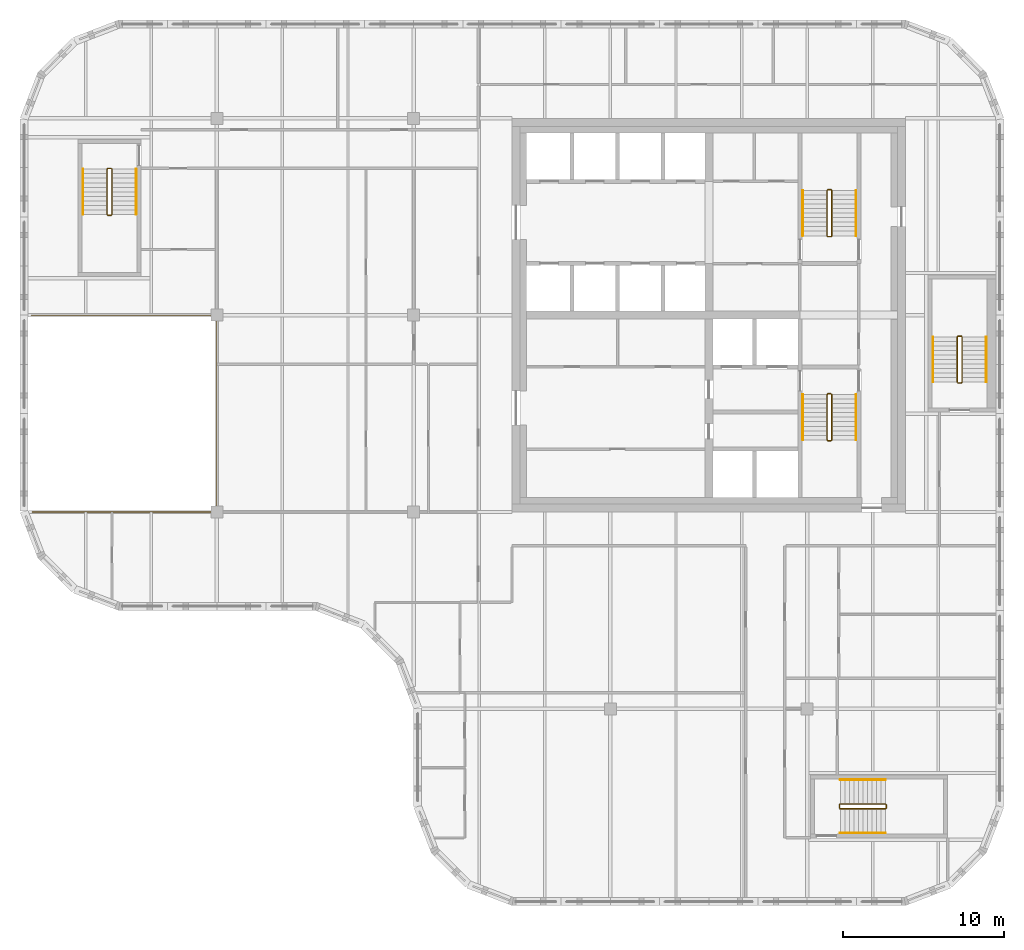
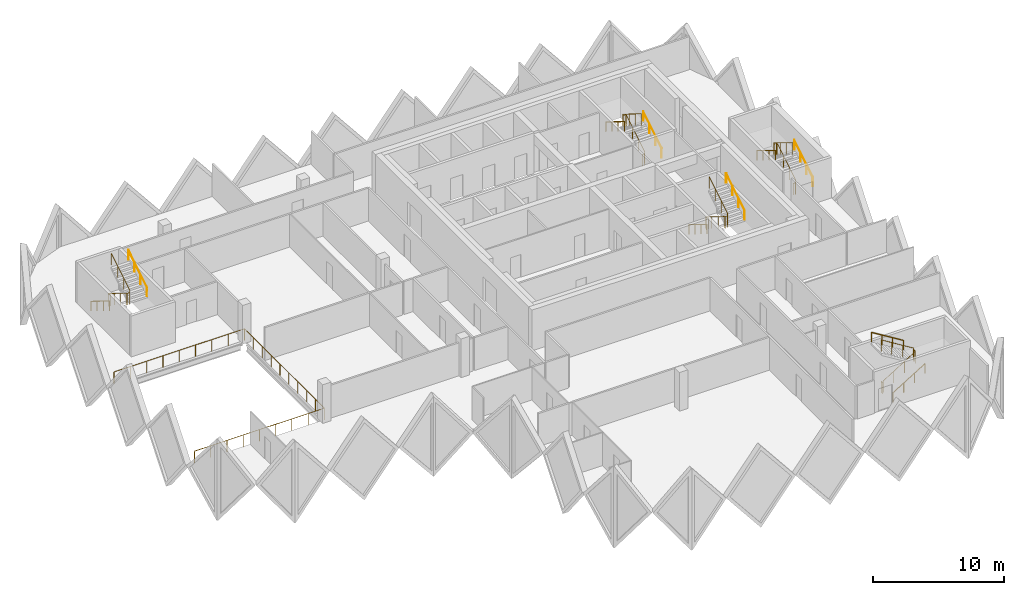
# One storey, part 11 of 11: 16 railings.
"""IFC4 building model written with IfcOpenShell, lengths in metres."""

from ifc_helpers import new_model, si_unit, direction, frame, origin, origin_2d, place, context, subcontext, project, spatial, circle, extrude, material, type_object, element, save


model = new_model("IFC4")

# Units and contexts
model_context = context("Model", 3, precision=1e-05, world=origin(), true_north=direction((0.0, 1.0)))
body_context = subcontext(model_context, "Body", "Model", "MODEL_VIEW")
ifc_project = project(units=[si_unit("LENGTHUNIT", "METRE"), si_unit("AREAUNIT", "SQUARE_METRE"), si_unit("VOLUMEUNIT", "CUBIC_METRE"), si_unit("PLANEANGLEUNIT", "RADIAN"), si_unit("MASSUNIT", "GRAM", prefix="KILO")], contexts=[model_context])

# Site, building, storey
site_placement = place(None, origin())
site = spatial("IfcSite", under=ifc_project, at=site_placement, CompositionType="ELEMENT")
building_placement = place(site_placement, origin())
building = spatial("IfcBuilding", under=site, at=building_placement, Name="Tessera Gate Towers", CompositionType="ELEMENT")
storey_placement = place(building_placement, frame((0.0, 0.0, 205.5)))
storey = spatial("IfcBuildingStorey", under=building, at=storey_placement, Name="L51", CompositionType="ELEMENT", Elevation=205.5)

# Railings
ifc_material_1 = material(Name="Toughened glass with stainless steel handrail", Category="steel")
railing_type_1 = type_object("IfcRailingType", Name="GUARD 1100 GLASS BALUSTRADE", PredefinedType="GUARDRAIL", material=ifc_material_1)
railing_1_placement = place(storey_placement, frame((0.750244140625, 24.39990234375, 0.0)))
element("IfcRailing", 1, at=railing_1_placement, inside=storey, type_object=railing_type_1, Name="Guard", PredefinedType="GUARDRAIL", context=body_context, shape_type="SweptSolid", body=[
    extrude(circle(Radius=0.02490234375, at=origin_2d()), frame((0.0, 0.0, 1.0751953125), z_axis=(1.0, 0.0, 0.0), x_axis=(0.0, 1.0, 0.0)), (0.0, 0.0, 1.0), 11.44970703125),
    extrude(circle(Radius=0.02490234375, at=origin_2d()), frame((11.44970703125, 0.0, 1.0751953125), z_axis=(0.0, 1.0, 0.0), x_axis=(-1.0, 0.0, 0.0)), (0.0, 0.0, 1.0), 12.2001953125),
    extrude(circle(Radius=0.02490234375, at=origin_2d()), frame((11.44970703125, 12.2001953125, 1.0751953125), z_axis=(-1.0, 0.0, 0.0), x_axis=(0.0, -1.0, 0.0)), (0.0, 0.0, 1.0), 11.5),
    extrude(circle(Radius=0.02490234375, at=origin_2d()), origin(), (0.0, 0.0, 1.0), 1.050048828125),
    extrude(circle(Radius=0.02490234375, at=origin_2d()), frame((1.43115234375, 0.0, 0.0)), (0.0, 0.0, 1.0), 1.050048828125),
    extrude(circle(Radius=0.02490234375, at=origin_2d()), frame((2.8623046875, 0.0, 0.0)), (0.0, 0.0, 1.0), 1.050048828125),
    extrude(circle(Radius=0.02490234375, at=origin_2d()), frame((4.293701171875, 0.0, 0.0)), (0.0, 0.0, 1.0), 1.050048828125),
    extrude(circle(Radius=0.02490234375, at=origin_2d()), frame((5.724853515625, 0.0, 0.0)), (0.0, 0.0, 1.0), 1.050048828125),
    extrude(circle(Radius=0.02490234375, at=origin_2d()), frame((7.156005859375, 0.0, 0.0)), (0.0, 0.0, 1.0), 1.050048828125),
    extrude(circle(Radius=0.02490234375, at=origin_2d()), frame((8.58740234375, 0.0, 0.0)), (0.0, 0.0, 1.0), 1.050048828125),
    extrude(circle(Radius=0.02490234375, at=origin_2d()), frame((10.0185546875, 0.0, 0.0)), (0.0, 0.0, 1.0), 1.050048828125),
    extrude(circle(Radius=0.02490234375, at=origin_2d()), frame((11.44970703125, 0.0, 0.0)), (0.0, 0.0, 1.0), 1.050048828125),
    extrude(circle(Radius=0.02490234375, at=origin_2d()), frame((11.44970703125, 1.35546875, 0.0)), (0.0, 0.0, 1.0), 1.050048828125),
    extrude(circle(Radius=0.02490234375, at=origin_2d()), frame((11.44970703125, 2.711181640625, 0.0)), (0.0, 0.0, 1.0), 1.050048828125),
    extrude(circle(Radius=0.02490234375, at=origin_2d()), frame((11.44970703125, 4.066650390625, 0.0)), (0.0, 0.0, 1.0), 1.050048828125),
    extrude(circle(Radius=0.02490234375, at=origin_2d()), frame((11.44970703125, 5.42236328125, 0.0)), (0.0, 0.0, 1.0), 1.050048828125),
    extrude(circle(Radius=0.02490234375, at=origin_2d()), frame((11.44970703125, 6.77783203125, 0.0)), (0.0, 0.0, 1.0), 1.050048828125),
    extrude(circle(Radius=0.02490234375, at=origin_2d()), frame((11.44970703125, 8.133544921875, 0.0)), (0.0, 0.0, 1.0), 1.050048828125),
    extrude(circle(Radius=0.02490234375, at=origin_2d()), frame((11.44970703125, 9.489013671875, 0.0)), (0.0, 0.0, 1.0), 1.050048828125),
    extrude(circle(Radius=0.02490234375, at=origin_2d()), frame((11.44970703125, 10.8447265625, 0.0)), (0.0, 0.0, 1.0), 1.050048828125),
    extrude(circle(Radius=0.02490234375, at=origin_2d()), frame((11.44970703125, 12.2001953125, 0.0)), (0.0, 0.0, 1.0), 1.050048828125),
    extrude(circle(Radius=0.02490234375, at=origin_2d()), frame((10.01220703125, 12.2001953125, 0.0)), (0.0, 0.0, 1.0), 1.050048828125),
    extrude(circle(Radius=0.02490234375, at=origin_2d()), frame((8.57470703125, 12.2001953125, 0.0)), (0.0, 0.0, 1.0), 1.050048828125),
    extrude(circle(Radius=0.02490234375, at=origin_2d()), frame((7.13720703125, 12.2001953125, 0.0)), (0.0, 0.0, 1.0), 1.050048828125),
    extrude(circle(Radius=0.02490234375, at=origin_2d()), frame((5.69970703125, 12.2001953125, 0.0)), (0.0, 0.0, 1.0), 1.050048828125),
    extrude(circle(Radius=0.02490234375, at=origin_2d()), frame((4.26220703125, 12.2001953125, 0.0)), (0.0, 0.0, 1.0), 1.050048828125),
    extrude(circle(Radius=0.02490234375, at=origin_2d()), frame((2.82470703125, 12.2001953125, 0.0)), (0.0, 0.0, 1.0), 1.050048828125),
    extrude(circle(Radius=0.02490234375, at=origin_2d()), frame((1.38720703125, 12.2001953125, 0.0)), (0.0, 0.0, 1.0), 1.050048828125),
    extrude(circle(Radius=0.02490234375, at=origin_2d()), frame((-0.05029296875, 12.2001953125, 0.0)), (0.0, 0.0, 1.0), 1.050048828125),
])
ifc_material_2 = material(Name="Steel 350W", Category="steel")
railing_type_2 = type_object("IfcRailingType", Name="STAIR GUARD 1100", PredefinedType="GUARDRAIL", material=ifc_material_2)
railing_2_placement = place(storey_placement, frame((50.27490234375, 31.72509765625, 0.0)))
element("IfcRailing", 2, at=railing_2_placement, inside=storey, type_object=railing_type_2, Name="L51 ST1 stair guard 1", PredefinedType="GUARDRAIL", context=body_context, shape_type="SweptSolid", body=[
    extrude(circle(Radius=0.02392578125, at=origin_2d()), frame((0.0, 0.0, 1.076171875), z_axis=(-1.0, 0.0, 0.0), x_axis=(0.0, -1.0, 0.0)), (0.0, 0.0, 1.0), 0.199951171875),
    extrude(circle(Radius=0.02392578125, at=origin_2d()), frame((-0.199951171875, 0.0, 1.076171875), z_axis=(-0.268277960024, -0.268277960024, 0.925231793839), x_axis=(0.707106781187, -0.707106781187, 0.0)), (0.0, 0.0, 1.0), 0.1865234375),
    extrude(circle(Radius=0.02392578125, at=origin_2d()), frame((-0.25, -0.050048828125, 1.24853515625), z_axis=(0.0, -0.851089632645, 0.525020415988), x_axis=(1.0, 0.0, 0.0)), (0.0, 0.0, 1.0), 3.2900390625),
    extrude(circle(Radius=0.02392578125, at=origin_2d()), frame((-0.25, -2.85009765625, 2.97607421875), z_axis=(0.707106781187, -0.707106781187, 0.0), x_axis=(0.707106781187, 0.707106781187, 0.0)), (0.0, 0.0, 1.0), 0.07080078125),
    extrude(circle(Radius=0.02392578125, at=origin_2d()), frame((-0.199951171875, -2.900146484375, 2.97607421875), z_axis=(1.0, 0.0, 0.0), x_axis=(0.0, 1.0, 0.0)), (0.0, 0.0, 1.0), 0.199951171875),
    extrude(circle(Radius=0.02392578125, at=origin_2d()), frame((0.0, -2.900146484375, 2.97607421875), z_axis=(0.267953482034, 0.267953482034, 0.925419830635), x_axis=(-0.707106781187, 0.707106781187, 0.0)), (0.0, 0.0, 1.0), 0.186767578125),
    extrude(circle(Radius=0.02392578125, at=origin_2d()), frame((0.050048828125, -2.85009765625, 3.14892578125), z_axis=(0.0, 0.851089632645, 0.525020415988), x_axis=(-1.0, 0.0, 0.0)), (0.0, 0.0, 1.0), 3.2900390625),
    extrude(circle(Radius=0.02099609375, at=origin_2d()), origin(), (0.0, 0.0, 1.0), 1.052001953125),
    extrude(circle(Radius=0.02099609375, at=origin_2d()), frame((-0.199951171875, 0.0, 0.0)), (0.0, 0.0, 1.0), 1.052001953125),
    extrude(circle(Radius=0.02099609375, at=origin_2d()), frame((-0.25, -0.050048828125, 0.172607421875)), (0.0, 0.0, 1.0), 1.052001953125),
    extrude(circle(Radius=0.02099609375, at=origin_2d()), frame((-0.25, -0.9833984375, 0.748291015625)), (0.0, 0.0, 1.0), 1.052001953125),
    extrude(circle(Radius=0.02099609375, at=origin_2d()), frame((-0.25, -1.916748046875, 1.32421875)), (0.0, 0.0, 1.0), 1.052001953125),
    extrude(circle(Radius=0.02099609375, at=origin_2d()), frame((-0.25, -2.85009765625, 1.89990234375)), (0.0, 0.0, 1.0), 1.052001953125),
    extrude(circle(Radius=0.02099609375, at=origin_2d()), frame((-0.199951171875, -2.900146484375, 1.89990234375)), (0.0, 0.0, 1.0), 1.052001953125),
    extrude(circle(Radius=0.02099609375, at=origin_2d()), frame((0.0, -2.900146484375, 1.89990234375)), (0.0, 0.0, 1.0), 1.052001953125),
    extrude(circle(Radius=0.02099609375, at=origin_2d()), frame((0.050048828125, -2.85009765625, 2.07275390625)), (0.0, 0.0, 1.0), 1.052001953125),
    extrude(circle(Radius=0.02099609375, at=origin_2d()), frame((0.050048828125, -1.916748046875, 2.6484375)), (0.0, 0.0, 1.0), 1.052001953125),
    extrude(circle(Radius=0.02099609375, at=origin_2d()), frame((0.050048828125, -0.9833984375, 3.224365234375)), (0.0, 0.0, 1.0), 1.052001953125),
    extrude(circle(Radius=0.02099609375, at=origin_2d()), frame((0.050048828125, -0.050048828125, 3.800048828125)), (0.0, 0.0, 1.0), 1.052001953125),
])
railing_3_placement = place(storey_placement, frame((50.074951171875, 41.47509765625, 0.0)))
element("IfcRailing", 3, at=railing_3_placement, inside=storey, type_object=railing_type_2, Name="L51 ST2 stair guard 1", PredefinedType="GUARDRAIL", context=body_context, shape_type="SweptSolid", body=[
    extrude(circle(Radius=0.02392578125, at=origin_2d()), frame((0.0, 0.0, 1.076171875), z_axis=(1.0, 0.0, 0.0), x_axis=(0.0, 1.0, 0.0)), (0.0, 0.0, 1.0), 0.199951171875),
    extrude(circle(Radius=0.02392578125, at=origin_2d()), frame((0.199951171875, 0.0, 1.076171875), z_axis=(0.268371968888, 0.267062837333, 0.925556009775), x_axis=(-0.705375805398, 0.708833529934, 0.0)), (0.0, 0.0, 1.0), 0.1865234375),
    extrude(circle(Radius=0.02392578125, at=origin_2d()), frame((0.25, 0.0498046875, 1.24853515625), z_axis=(0.0, 0.851089632645, 0.525020415988), x_axis=(-1.0, 0.0, 0.0)), (0.0, 0.0, 1.0), 3.2900390625),
    extrude(circle(Radius=0.02392578125, at=origin_2d()), frame((0.25, 2.849853515625, 2.97607421875), z_axis=(-0.707106781187, 0.707106781187, 0.0), x_axis=(-0.707106781187, -0.707106781187, 0.0)), (0.0, 0.0, 1.0), 0.07080078125),
    extrude(circle(Radius=0.02392578125, at=origin_2d()), frame((0.199951171875, 2.89990234375, 2.97607421875), z_axis=(-1.0, 0.0, 0.0), x_axis=(0.0, -1.0, 0.0)), (0.0, 0.0, 1.0), 0.199951171875),
    extrude(circle(Radius=0.02392578125, at=origin_2d()), frame((0.0, 2.89990234375, 2.97607421875), z_axis=(-0.267953482034, -0.267953482034, 0.925419830635), x_axis=(0.707106781187, -0.707106781187, 0.0)), (0.0, 0.0, 1.0), 0.186767578125),
    extrude(circle(Radius=0.02392578125, at=origin_2d()), frame((-0.050048828125, 2.849853515625, 3.14892578125), z_axis=(0.0, -0.851089632645, 0.525020415988), x_axis=(1.0, 0.0, 0.0)), (0.0, 0.0, 1.0), 3.2900390625),
    extrude(circle(Radius=0.02099609375, at=origin_2d()), origin(), (0.0, 0.0, 1.0), 1.052001953125),
    extrude(circle(Radius=0.02099609375, at=origin_2d()), frame((0.199951171875, 0.0, 0.0)), (0.0, 0.0, 1.0), 1.052001953125),
    extrude(circle(Radius=0.02099609375, at=origin_2d()), frame((0.25, 0.0498046875, 0.172607421875)), (0.0, 0.0, 1.0), 1.052001953125),
    extrude(circle(Radius=0.02099609375, at=origin_2d()), frame((0.25, 0.983154296875, 0.748291015625)), (0.0, 0.0, 1.0), 1.052001953125),
    extrude(circle(Radius=0.02099609375, at=origin_2d()), frame((0.25, 1.91650390625, 1.32421875)), (0.0, 0.0, 1.0), 1.052001953125),
    extrude(circle(Radius=0.02099609375, at=origin_2d()), frame((0.25, 2.849853515625, 1.89990234375)), (0.0, 0.0, 1.0), 1.052001953125),
    extrude(circle(Radius=0.02099609375, at=origin_2d()), frame((0.199951171875, 2.89990234375, 1.89990234375)), (0.0, 0.0, 1.0), 1.052001953125),
    extrude(circle(Radius=0.02099609375, at=origin_2d()), frame((0.0, 2.89990234375, 1.89990234375)), (0.0, 0.0, 1.0), 1.052001953125),
    extrude(circle(Radius=0.02099609375, at=origin_2d()), frame((-0.050048828125, 2.849853515625, 2.07275390625)), (0.0, 0.0, 1.0), 1.052001953125),
    extrude(circle(Radius=0.02099609375, at=origin_2d()), frame((-0.050048828125, 1.91650390625, 2.6484375)), (0.0, 0.0, 1.0), 1.052001953125),
    extrude(circle(Radius=0.02099609375, at=origin_2d()), frame((-0.050048828125, 0.983154296875, 3.224365234375)), (0.0, 0.0, 1.0), 1.052001953125),
    extrude(circle(Radius=0.02099609375, at=origin_2d()), frame((-0.050048828125, 0.0498046875, 3.800048828125)), (0.0, 0.0, 1.0), 1.052001953125),
])
railing_4_placement = place(storey_placement, frame((5.64990234375, 45.699951171875, 0.0)))
element("IfcRailing", 4, at=railing_4_placement, inside=storey, type_object=railing_type_2, Name="L51 ST3 stair guard 1", PredefinedType="GUARDRAIL", context=body_context, shape_type="SweptSolid", body=[
    extrude(circle(Radius=0.02392578125, at=origin_2d()), frame((0.0, 0.0, 1.076171875), z_axis=(-1.0, 0.0, 0.0), x_axis=(0.0, -1.0, 0.0)), (0.0, 0.0, 1.0), 0.199951171875),
    extrude(circle(Radius=0.02392578125, at=origin_2d()), frame((-0.199951171875, 0.0, 1.076171875), z_axis=(-0.268277960024, -0.268277960024, 0.925231793839), x_axis=(0.707106781187, -0.707106781187, 0.0)), (0.0, 0.0, 1.0), 0.1865234375),
    extrude(circle(Radius=0.02392578125, at=origin_2d()), frame((-0.25, -0.050048828125, 1.24853515625), z_axis=(0.0, -0.851069175582, 0.525053576669), x_axis=(1.0, 0.0, 0.0)), (0.0, 0.0, 1.0), 3.289794921875),
    extrude(circle(Radius=0.02392578125, at=origin_2d()), frame((-0.25, -2.849853515625, 2.97607421875), z_axis=(0.707106781187, -0.707106781187, 0.0), x_axis=(0.707106781187, 0.707106781187, 0.0)), (0.0, 0.0, 1.0), 0.07080078125),
    extrude(circle(Radius=0.02392578125, at=origin_2d()), frame((-0.199951171875, -2.89990234375, 2.97607421875), z_axis=(1.0, 0.0, 0.0), x_axis=(0.0, 1.0, 0.0)), (0.0, 0.0, 1.0), 0.199951171875),
    extrude(circle(Radius=0.02392578125, at=origin_2d()), frame((0.0, -2.89990234375, 2.97607421875), z_axis=(0.267953482034, 0.267953482034, 0.925419830635), x_axis=(-0.707106781187, 0.707106781187, 0.0)), (0.0, 0.0, 1.0), 0.186767578125),
    extrude(circle(Radius=0.02392578125, at=origin_2d()), frame((0.050048828125, -2.849853515625, 3.14892578125), z_axis=(0.0, 0.851069175582, 0.525053576669), x_axis=(-1.0, 0.0, 0.0)), (0.0, 0.0, 1.0), 3.289794921875),
    extrude(circle(Radius=0.02099609375, at=origin_2d()), origin(), (0.0, 0.0, 1.0), 1.052001953125),
    extrude(circle(Radius=0.02099609375, at=origin_2d()), frame((-0.199951171875, 0.0, 0.0)), (0.0, 0.0, 1.0), 1.052001953125),
    extrude(circle(Radius=0.02099609375, at=origin_2d()), frame((-0.25, -0.050048828125, 0.172607421875)), (0.0, 0.0, 1.0), 1.052001953125),
    extrude(circle(Radius=0.02099609375, at=origin_2d()), frame((-0.25, -0.9833984375, 0.748291015625)), (0.0, 0.0, 1.0), 1.052001953125),
    extrude(circle(Radius=0.02099609375, at=origin_2d()), frame((-0.25, -1.91650390625, 1.32421875)), (0.0, 0.0, 1.0), 1.052001953125),
    extrude(circle(Radius=0.02099609375, at=origin_2d()), frame((-0.25, -2.849853515625, 1.89990234375)), (0.0, 0.0, 1.0), 1.052001953125),
    extrude(circle(Radius=0.02099609375, at=origin_2d()), frame((-0.199951171875, -2.89990234375, 1.89990234375)), (0.0, 0.0, 1.0), 1.052001953125),
    extrude(circle(Radius=0.02099609375, at=origin_2d()), frame((0.0, -2.89990234375, 1.89990234375)), (0.0, 0.0, 1.0), 1.052001953125),
    extrude(circle(Radius=0.02099609375, at=origin_2d()), frame((0.050048828125, -2.849853515625, 2.07275390625)), (0.0, 0.0, 1.0), 1.052001953125),
    extrude(circle(Radius=0.02099609375, at=origin_2d()), frame((0.050048828125, -1.91650390625, 2.6484375)), (0.0, 0.0, 1.0), 1.052001953125),
    extrude(circle(Radius=0.02099609375, at=origin_2d()), frame((0.050048828125, -0.9833984375, 3.224365234375)), (0.0, 0.0, 1.0), 1.052001953125),
    extrude(circle(Radius=0.02099609375, at=origin_2d()), frame((0.050048828125, -0.050048828125, 3.800048828125)), (0.0, 0.0, 1.0), 1.052001953125),
])
railing_5_placement = place(storey_placement, frame((50.800048828125, 6.25, 0.0)))
element("IfcRailing", 5, at=railing_5_placement, inside=storey, type_object=railing_type_2, Name="L51 ST4 stair guard 1", PredefinedType="GUARDRAIL", context=body_context, shape_type="SweptSolid", body=[
    extrude(circle(Radius=0.02392578125, at=origin_2d()), frame((0.0, 0.0, 1.076171875), z_axis=(0.0, -1.0, 0.0), x_axis=(1.0, 0.0, 0.0)), (0.0, 0.0, 1.0), 0.199951171875),
    extrude(circle(Radius=0.02392578125, at=origin_2d()), frame((0.0, -0.199951171875, 1.076171875), z_axis=(0.268277960024, -0.268277960024, 0.925231793839), x_axis=(0.707106781187, 0.707106781187, 0.0)), (0.0, 0.0, 1.0), 0.1865234375),
    extrude(circle(Radius=0.02392578125, at=origin_2d()), frame((0.050048828125, -0.25, 1.24853515625), z_axis=(0.851069175582, 0.0, 0.525053576669), x_axis=(0.0, 1.0, 0.0)), (0.0, 0.0, 1.0), 3.289794921875),
    extrude(circle(Radius=0.02392578125, at=origin_2d()), frame((2.849853515625, -0.25, 2.97607421875), z_axis=(0.707106781187, 0.707106781187, 0.0), x_axis=(-0.707106781187, 0.707106781187, 0.0)), (0.0, 0.0, 1.0), 0.07080078125),
    extrude(circle(Radius=0.02392578125, at=origin_2d()), frame((2.89990234375, -0.199951171875, 2.97607421875), z_axis=(0.0, 1.0, 0.0), x_axis=(-1.0, 0.0, 0.0)), (0.0, 0.0, 1.0), 0.199951171875),
    extrude(circle(Radius=0.02392578125, at=origin_2d()), frame((2.89990234375, 0.0, 2.97607421875), z_axis=(-0.267953482034, 0.267953482034, 0.925419830635), x_axis=(-0.707106781187, -0.707106781187, 0.0)), (0.0, 0.0, 1.0), 0.186767578125),
    extrude(circle(Radius=0.02392578125, at=origin_2d()), frame((2.849853515625, 0.050048828125, 3.14892578125), z_axis=(-0.851069175582, 0.0, 0.525053576669), x_axis=(0.0, -1.0, 0.0)), (0.0, 0.0, 1.0), 3.289794921875),
    extrude(circle(Radius=0.02099609375, at=origin_2d()), origin(), (0.0, 0.0, 1.0), 1.052001953125),
    extrude(circle(Radius=0.02099609375, at=origin_2d()), frame((0.0, -0.199951171875, 0.0)), (0.0, 0.0, 1.0), 1.052001953125),
    extrude(circle(Radius=0.02099609375, at=origin_2d()), frame((0.050048828125, -0.25, 0.172607421875)), (0.0, 0.0, 1.0), 1.052001953125),
    extrude(circle(Radius=0.02099609375, at=origin_2d()), frame((0.9833984375, -0.25, 0.748291015625)), (0.0, 0.0, 1.0), 1.052001953125),
    extrude(circle(Radius=0.02099609375, at=origin_2d()), frame((1.91650390625, -0.25, 1.32421875)), (0.0, 0.0, 1.0), 1.052001953125),
    extrude(circle(Radius=0.02099609375, at=origin_2d()), frame((2.849853515625, -0.25, 1.89990234375)), (0.0, 0.0, 1.0), 1.052001953125),
    extrude(circle(Radius=0.02099609375, at=origin_2d()), frame((2.89990234375, -0.199951171875, 1.89990234375)), (0.0, 0.0, 1.0), 1.052001953125),
    extrude(circle(Radius=0.02099609375, at=origin_2d()), frame((2.89990234375, 0.0, 1.89990234375)), (0.0, 0.0, 1.0), 1.052001953125),
    extrude(circle(Radius=0.02099609375, at=origin_2d()), frame((2.849853515625, 0.050048828125, 2.07275390625)), (0.0, 0.0, 1.0), 1.052001953125),
    extrude(circle(Radius=0.02099609375, at=origin_2d()), frame((1.91650390625, 0.050048828125, 2.6484375)), (0.0, 0.0, 1.0), 1.052001953125),
    extrude(circle(Radius=0.02099609375, at=origin_2d()), frame((0.9833984375, 0.050048828125, 3.224365234375)), (0.0, 0.0, 1.0), 1.052001953125),
    extrude(circle(Radius=0.02099609375, at=origin_2d()), frame((0.050048828125, 0.050048828125, 3.800048828125)), (0.0, 0.0, 1.0), 1.052001953125),
])
railing_6_placement = place(storey_placement, frame((58.14990234375, 32.39990234375, 0.0)))
element("IfcRailing", 6, at=railing_6_placement, inside=storey, type_object=railing_type_2, Name="L51 ST5 stair guard 1", PredefinedType="GUARDRAIL", context=body_context, shape_type="SweptSolid", body=[
    extrude(circle(Radius=0.02392578125, at=origin_2d()), frame((0.0, 0.0, 1.076171875), z_axis=(1.0, 0.0, 0.0), x_axis=(0.0, 1.0, 0.0)), (0.0, 0.0, 1.0), 0.2001953125),
    extrude(circle(Radius=0.02392578125, at=origin_2d()), frame((0.2001953125, 0.0, 1.076171875), z_axis=(0.267062837333, 0.268371968888, 0.925556009775), x_axis=(-0.708833529934, 0.705375805398, 0.0)), (0.0, 0.0, 1.0), 0.1865234375),
    extrude(circle(Radius=0.02392578125, at=origin_2d()), frame((0.25, 0.050048828125, 1.24853515625), z_axis=(0.0, 0.851089632645, 0.525020415988), x_axis=(-1.0, 0.0, 0.0)), (0.0, 0.0, 1.0), 3.2900390625),
    extrude(circle(Radius=0.02392578125, at=origin_2d()), frame((0.25, 2.85009765625, 2.97607421875), z_axis=(-0.705375805398, 0.708833529934, 0.0), x_axis=(-0.708833529934, -0.705375805398, 0.0)), (0.0, 0.0, 1.0), 0.070556640625),
    extrude(circle(Radius=0.02392578125, at=origin_2d()), frame((0.2001953125, 2.900146484375, 2.97607421875), z_axis=(-1.0, 0.0, 0.0), x_axis=(0.0, -1.0, 0.0)), (0.0, 0.0, 1.0), 0.2001953125),
    extrude(circle(Radius=0.02392578125, at=origin_2d()), frame((0.0, 2.900146484375, 2.97607421875), z_axis=(-0.266739603011, -0.268047150085, 0.925743328097), x_axis=(0.708833529934, -0.705375805398, 0.0)), (0.0, 0.0, 1.0), 0.186767578125),
    extrude(circle(Radius=0.02392578125, at=origin_2d()), frame((-0.0498046875, 2.85009765625, 3.14892578125), z_axis=(0.0, -0.851089632645, 0.525020415988), x_axis=(1.0, 0.0, 0.0)), (0.0, 0.0, 1.0), 3.2900390625),
    extrude(circle(Radius=0.02099609375, at=origin_2d()), origin(), (0.0, 0.0, 1.0), 1.052001953125),
    extrude(circle(Radius=0.02099609375, at=origin_2d()), frame((0.2001953125, 0.0, 0.0)), (0.0, 0.0, 1.0), 1.052001953125),
    extrude(circle(Radius=0.02099609375, at=origin_2d()), frame((0.25, 0.050048828125, 0.172607421875)), (0.0, 0.0, 1.0), 1.052001953125),
    extrude(circle(Radius=0.02099609375, at=origin_2d()), frame((0.25, 0.9833984375, 0.748291015625)), (0.0, 0.0, 1.0), 1.052001953125),
    extrude(circle(Radius=0.02099609375, at=origin_2d()), frame((0.25, 1.916748046875, 1.32421875)), (0.0, 0.0, 1.0), 1.052001953125),
    extrude(circle(Radius=0.02099609375, at=origin_2d()), frame((0.25, 2.85009765625, 1.89990234375)), (0.0, 0.0, 1.0), 1.052001953125),
    extrude(circle(Radius=0.02099609375, at=origin_2d()), frame((0.2001953125, 2.900146484375, 1.89990234375)), (0.0, 0.0, 1.0), 1.052001953125),
    extrude(circle(Radius=0.02099609375, at=origin_2d()), frame((0.0, 2.900146484375, 1.89990234375)), (0.0, 0.0, 1.0), 1.052001953125),
    extrude(circle(Radius=0.02099609375, at=origin_2d()), frame((-0.0498046875, 2.85009765625, 2.07275390625)), (0.0, 0.0, 1.0), 1.052001953125),
    extrude(circle(Radius=0.02099609375, at=origin_2d()), frame((-0.0498046875, 1.916748046875, 2.6484375)), (0.0, 0.0, 1.0), 1.052001953125),
    extrude(circle(Radius=0.02099609375, at=origin_2d()), frame((-0.0498046875, 0.9833984375, 3.224365234375)), (0.0, 0.0, 1.0), 1.052001953125),
    extrude(circle(Radius=0.02099609375, at=origin_2d()), frame((-0.0498046875, 0.050048828125, 3.800048828125)), (0.0, 0.0, 1.0), 1.052001953125),
])
ifc_material_3 = material(Name="Steel 350W", Category="steel")
railing_type_3 = type_object("IfcRailingType", Name="STAIR HANDRAIL 900", PredefinedType="HANDRAIL", material=ifc_material_3)
railing_7_placement = place(storey_placement, frame((48.52490234375, 31.675048828125, 0.172607421875)))
element("IfcRailing", 7, at=railing_7_placement, inside=storey, type_object=railing_type_3, Name="L51 ST1 stair handrail 1", PredefinedType="HANDRAIL", context=body_context, shape_type="SweptSolid", body=[
    extrude(circle(Radius=0.02392578125, at=origin_2d()), frame((0.0, 0.0, 0.8759765625), z_axis=(0.0, -0.851089632645, 0.525020415988), x_axis=(1.0, 0.0, 0.0)), (0.0, 0.0, 1.0), 3.2900390625),
    extrude(circle(Radius=0.02099609375, at=origin_2d()), origin(), (0.0, 0.0, 1.0), 0.851806640625),
    extrude(circle(Radius=0.02099609375, at=origin_2d()), frame((0.0, -0.933349609375, 0.57568359375)), (0.0, 0.0, 1.0), 0.851806640625),
    extrude(circle(Radius=0.02099609375, at=origin_2d()), frame((0.0, -1.86669921875, 1.151611328125)), (0.0, 0.0, 1.0), 0.851806640625),
    extrude(circle(Radius=0.02099609375, at=origin_2d()), frame((0.0, -2.800048828125, 1.727294921875)), (0.0, 0.0, 1.0), 0.851806640625),
])
for number, where, name in (
    (8, (51.824951171875, 28.875, 2.07275390625), "L51 ST1 stair handrail 2"),
    (9, (51.824951171875, 41.52490234375, 0.172607421875), "L51 ST2 stair handrail 1"),
):
    element("IfcRailing", number, at=place(storey_placement, frame(where)), inside=storey, type_object=railing_type_3, Name=name, PredefinedType="HANDRAIL", context=body_context, shape_type="SweptSolid", body=[
        extrude(circle(Radius=0.02392578125, at=origin_2d()), frame((0.0, 0.0, 0.8759765625), z_axis=(0.0, 0.851089632645, 0.525020415988), x_axis=(-1.0, 0.0, 0.0)), (0.0, 0.0, 1.0), 3.2900390625),
        extrude(circle(Radius=0.02099609375, at=origin_2d()), origin(), (0.0, 0.0, 1.0), 0.851806640625),
        extrude(circle(Radius=0.02099609375, at=origin_2d()), frame((0.0, 0.933349609375, 0.57568359375)), (0.0, 0.0, 1.0), 0.851806640625),
        extrude(circle(Radius=0.02099609375, at=origin_2d()), frame((0.0, 1.86669921875, 1.151611328125)), (0.0, 0.0, 1.0), 0.851806640625),
        extrude(circle(Radius=0.02099609375, at=origin_2d()), frame((0.0, 2.800048828125, 1.727294921875)), (0.0, 0.0, 1.0), 0.851806640625),
    ])
railing_8_placement = place(storey_placement, frame((48.52490234375, 44.324951171875, 2.07275390625)))
element("IfcRailing", 10, at=railing_8_placement, inside=storey, type_object=railing_type_3, Name="L51 ST2 stair handrail 2", PredefinedType="HANDRAIL", context=body_context, shape_type="SweptSolid", body=[
    extrude(circle(Radius=0.02392578125, at=origin_2d()), frame((0.0, 0.0, 0.8759765625), z_axis=(0.0, -0.851089632645, 0.525020415988), x_axis=(1.0, 0.0, 0.0)), (0.0, 0.0, 1.0), 3.2900390625),
    extrude(circle(Radius=0.02099609375, at=origin_2d()), origin(), (0.0, 0.0, 1.0), 0.851806640625),
    extrude(circle(Radius=0.02099609375, at=origin_2d()), frame((0.0, -0.933349609375, 0.57568359375)), (0.0, 0.0, 1.0), 0.851806640625),
    extrude(circle(Radius=0.02099609375, at=origin_2d()), frame((0.0, -1.86669921875, 1.151611328125)), (0.0, 0.0, 1.0), 0.851806640625),
    extrude(circle(Radius=0.02099609375, at=origin_2d()), frame((0.0, -2.800048828125, 1.727294921875)), (0.0, 0.0, 1.0), 0.851806640625),
])
railing_9_placement = place(storey_placement, frame((3.89990234375, 45.64990234375, 0.172607421875)))
element("IfcRailing", 11, at=railing_9_placement, inside=storey, type_object=railing_type_3, Name="L51 ST3 stair handrail 1", PredefinedType="HANDRAIL", context=body_context, shape_type="SweptSolid", body=[
    extrude(circle(Radius=0.02392578125, at=origin_2d()), frame((0.0, 0.0, 0.8759765625), z_axis=(0.0, -0.851069175582, 0.525053576669), x_axis=(1.0, 0.0, 0.0)), (0.0, 0.0, 1.0), 3.289794921875),
    extrude(circle(Radius=0.02099609375, at=origin_2d()), origin(), (0.0, 0.0, 1.0), 0.851806640625),
    extrude(circle(Radius=0.02099609375, at=origin_2d()), frame((0.0, -0.933349609375, 0.57568359375)), (0.0, 0.0, 1.0), 0.851806640625),
    extrude(circle(Radius=0.02099609375, at=origin_2d()), frame((0.0, -1.866455078125, 1.151611328125)), (0.0, 0.0, 1.0), 0.851806640625),
    extrude(circle(Radius=0.02099609375, at=origin_2d()), frame((0.0, -2.7998046875, 1.727294921875)), (0.0, 0.0, 1.0), 0.851806640625),
])
railing_10_placement = place(storey_placement, frame((7.199951171875, 42.85009765625, 2.07275390625)))
element("IfcRailing", 12, at=railing_10_placement, inside=storey, type_object=railing_type_3, Name="L51 ST3 stair handrail 2", PredefinedType="HANDRAIL", context=body_context, shape_type="SweptSolid", body=[
    extrude(circle(Radius=0.02392578125, at=origin_2d()), frame((0.0, 0.0, 0.8759765625), z_axis=(0.0, 0.851069175582, 0.525053576669), x_axis=(-1.0, 0.0, 0.0)), (0.0, 0.0, 1.0), 3.289794921875),
    extrude(circle(Radius=0.02099609375, at=origin_2d()), origin(), (0.0, 0.0, 1.0), 0.851806640625),
    extrude(circle(Radius=0.02099609375, at=origin_2d()), frame((0.0, 0.933349609375, 0.57568359375)), (0.0, 0.0, 1.0), 0.851806640625),
    extrude(circle(Radius=0.02099609375, at=origin_2d()), frame((0.0, 1.866455078125, 1.151611328125)), (0.0, 0.0, 1.0), 0.851806640625),
    extrude(circle(Radius=0.02099609375, at=origin_2d()), frame((0.0, 2.7998046875, 1.727294921875)), (0.0, 0.0, 1.0), 0.851806640625),
])
railing_11_placement = place(storey_placement, frame((50.85009765625, 4.5, 0.172607421875)))
element("IfcRailing", 13, at=railing_11_placement, inside=storey, type_object=railing_type_3, Name="L51 ST4 stair handrail 1", PredefinedType="HANDRAIL", context=body_context, shape_type="SweptSolid", body=[
    extrude(circle(Radius=0.02392578125, at=origin_2d()), frame((0.0, 0.0, 0.8759765625), z_axis=(0.851069175582, 0.0, 0.525053576669), x_axis=(0.0, 1.0, 0.0)), (0.0, 0.0, 1.0), 3.289794921875),
    extrude(circle(Radius=0.02099609375, at=origin_2d()), origin(), (0.0, 0.0, 1.0), 0.851806640625),
    extrude(circle(Radius=0.02099609375, at=origin_2d()), frame((0.933349609375, 0.0, 0.57568359375)), (0.0, 0.0, 1.0), 0.851806640625),
    extrude(circle(Radius=0.02099609375, at=origin_2d()), frame((1.866455078125, 0.0, 1.151611328125)), (0.0, 0.0, 1.0), 0.851806640625),
    extrude(circle(Radius=0.02099609375, at=origin_2d()), frame((2.7998046875, 0.0, 1.727294921875)), (0.0, 0.0, 1.0), 0.851806640625),
])
railing_12_placement = place(storey_placement, frame((53.64990234375, 7.800048828125, 2.07275390625)))
element("IfcRailing", 14, at=railing_12_placement, inside=storey, type_object=railing_type_3, Name="L51 ST4 stair handrail 2", PredefinedType="HANDRAIL", context=body_context, shape_type="SweptSolid", body=[
    extrude(circle(Radius=0.02392578125, at=origin_2d()), frame((0.0, 0.0, 0.8759765625), z_axis=(-0.851069175582, 0.0, 0.525053576669), x_axis=(0.0, -1.0, 0.0)), (0.0, 0.0, 1.0), 3.289794921875),
    extrude(circle(Radius=0.02099609375, at=origin_2d()), origin(), (0.0, 0.0, 1.0), 0.851806640625),
    extrude(circle(Radius=0.02099609375, at=origin_2d()), frame((-0.933349609375, 0.0, 0.57568359375)), (0.0, 0.0, 1.0), 0.851806640625),
    extrude(circle(Radius=0.02099609375, at=origin_2d()), frame((-1.866455078125, 0.0, 1.151611328125)), (0.0, 0.0, 1.0), 0.851806640625),
    extrude(circle(Radius=0.02099609375, at=origin_2d()), frame((-2.7998046875, 0.0, 1.727294921875)), (0.0, 0.0, 1.0), 0.851806640625),
])
railing_13_placement = place(storey_placement, frame((59.89990234375, 32.449951171875, 0.172607421875)))
element("IfcRailing", 15, at=railing_13_placement, inside=storey, type_object=railing_type_3, Name="L51 ST5 stair handrail 1", PredefinedType="HANDRAIL", context=body_context, shape_type="SweptSolid", body=[
    extrude(circle(Radius=0.02392578125, at=origin_2d()), frame((0.0, 0.0, 0.8759765625), z_axis=(0.0, 0.851089632645, 0.525020415988), x_axis=(-1.0, 0.0, 0.0)), (0.0, 0.0, 1.0), 3.2900390625),
    extrude(circle(Radius=0.02099609375, at=origin_2d()), origin(), (0.0, 0.0, 1.0), 0.851806640625),
    extrude(circle(Radius=0.02099609375, at=origin_2d()), frame((0.0, 0.933349609375, 0.57568359375)), (0.0, 0.0, 1.0), 0.851806640625),
    extrude(circle(Radius=0.02099609375, at=origin_2d()), frame((0.0, 1.86669921875, 1.151611328125)), (0.0, 0.0, 1.0), 0.851806640625),
    extrude(circle(Radius=0.02099609375, at=origin_2d()), frame((0.0, 2.800048828125, 1.727294921875)), (0.0, 0.0, 1.0), 0.851806640625),
])
railing_14_placement = place(storey_placement, frame((56.60009765625, 35.25, 2.07275390625)))
element("IfcRailing", 16, at=railing_14_placement, inside=storey, type_object=railing_type_3, Name="L51 ST5 stair handrail 2", PredefinedType="HANDRAIL", context=body_context, shape_type="SweptSolid", body=[
    extrude(circle(Radius=0.02392578125, at=origin_2d()), frame((0.0, 0.0, 0.8759765625), z_axis=(0.0, -0.851089632645, 0.525020415988), x_axis=(1.0, 0.0, 0.0)), (0.0, 0.0, 1.0), 3.2900390625),
    extrude(circle(Radius=0.02099609375, at=origin_2d()), origin(), (0.0, 0.0, 1.0), 0.851806640625),
    extrude(circle(Radius=0.02099609375, at=origin_2d()), frame((0.0, -0.933349609375, 0.57568359375)), (0.0, 0.0, 1.0), 0.851806640625),
    extrude(circle(Radius=0.02099609375, at=origin_2d()), frame((0.0, -1.86669921875, 1.151611328125)), (0.0, 0.0, 1.0), 0.851806640625),
    extrude(circle(Radius=0.02099609375, at=origin_2d()), frame((0.0, -2.800048828125, 1.727294921875)), (0.0, 0.0, 1.0), 0.851806640625),
])

save(model, "model.ifc")
